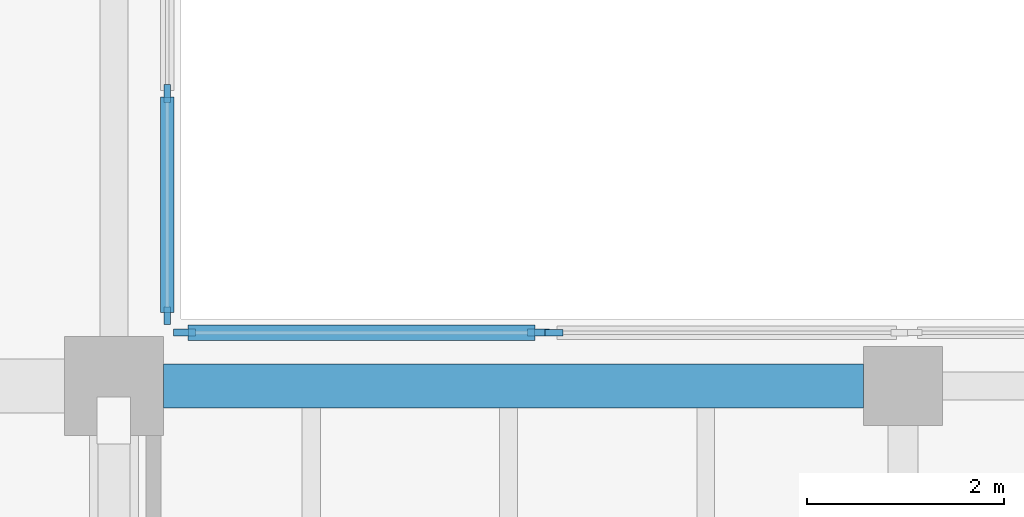
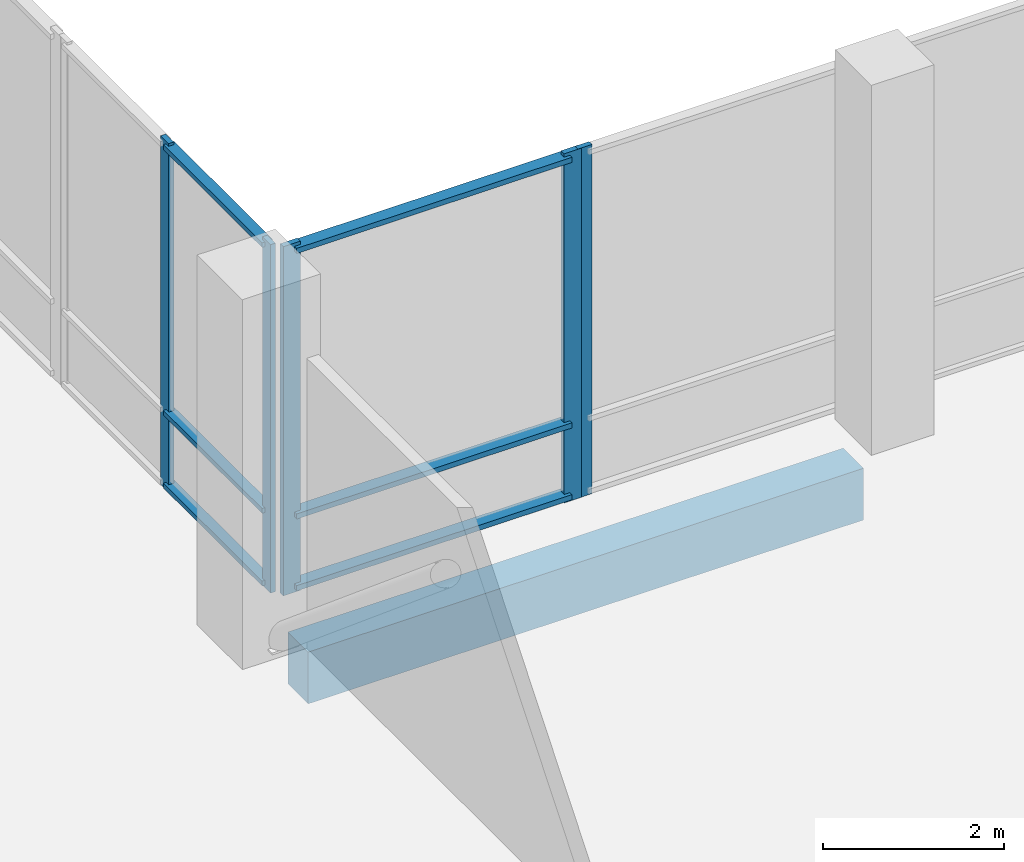
# One storey, part 27 of 73: 11 members, 1 beam, 3 elements without a shape of their own.
"""IFC4 building model written with IfcOpenShell, lengths in metres."""

from ifc_helpers import new_model, si_unit, direction, frame, origin, origin_2d, place, context, subcontext, project, spatial, rectangle, extrude, material, material_profile, profile_set, type_object, element, aggregate, save


model = new_model("IFC4")

# Units and contexts
model_context = context("Model", 3, precision=1e-05, world=origin(), true_north=direction((0.0, 1.0)))
body_context = subcontext(model_context, "Body", "Model", "MODEL_VIEW")
ifc_project = project(units=[si_unit("LENGTHUNIT", "METRE"), si_unit("AREAUNIT", "SQUARE_METRE"), si_unit("VOLUMEUNIT", "CUBIC_METRE"), si_unit("PLANEANGLEUNIT", "RADIAN"), si_unit("MASSUNIT", "GRAM", prefix="KILO")], contexts=[model_context])

# Site, building, storey
site_placement = place(None, origin())
site = spatial("IfcSite", under=ifc_project, at=site_placement, CompositionType="ELEMENT")
building_placement = place(site_placement, origin())
building = spatial("IfcBuilding", under=site, at=building_placement, Name="Trimount Lyric Opera House", CompositionType="ELEMENT")
storey_placement = place(building_placement, frame((0.0, 0.0, 10.0)))
storey = spatial("IfcBuildingStorey", under=building, at=storey_placement, Name="L02", CompositionType="ELEMENT", Elevation=10.0)

# Curtain wall, members
ifc_material_1 = material(Name="Thermally Broken Aluminium and Low-E Glass", Category="aluminium")
curtain_wall_type = type_object("IfcCurtainWallType", Name="CW-03", PredefinedType="NOTDEFINED", material=ifc_material_1)
curtain_wall_1_placement = place(storey_placement, origin())
curtain_wall_1 = element("IfcCurtainWall", 1, at=curtain_wall_1_placement, inside=storey, type_object=curtain_wall_type, Name="L02 curtain wall 222", PredefinedType="NOTDEFINED")
ifc_material_2 = material(Name="Anodised Aluminium 6063-T6", Category="aluminium")
ifc_material_profile_1 = material_profile(ifc_material_2, rectangle(XDim=0.070068359375, YDim=0.219970703125, at=origin_2d()), Name="ALU-MULL-70X220")
ifc_profile_set_1 = profile_set([ifc_material_profile_1], Name="Anodised Aluminium 6063-T6")
member_type_1 = type_object("IfcMemberType", Name="ML-01", PredefinedType="MULLION", material=ifc_profile_set_1)
member_1_placement = place(storey_placement, frame((122.715087890625, 74.5400390625, 0.0), z_axis=(0.0, 0.0, 1.0), x_axis=(0.0, 1.0, 0.0)))
member_1 = element("IfcMember", 2, at=member_1_placement, type_object=member_type_1, Name="CW-03 mullion 1", PredefinedType="MULLION", context=body_context, shape_type="SweptSolid", body=[
    extrude(rectangle(XDim=0.070068359375, YDim=0.219970703125, at=origin_2d()), origin(), (0.0, 0.0, 1.0), 4.719970703125),
])
member_2_placement = place(storey_placement, frame((126.304931640625, 74.5400390625, 0.0), z_axis=(0.0, 0.0, 1.0), x_axis=(0.0, 1.0, 0.0)))
member_2 = element("IfcMember", 3, at=member_2_placement, type_object=member_type_1, Name="CW-03 mullion 2", PredefinedType="MULLION", context=body_context, shape_type="SweptSolid", body=[
    extrude(rectangle(XDim=0.070068359375, YDim=0.219970703125, at=origin_2d()), origin(), (0.0, 0.0, 1.0), 4.719970703125),
])

# Curtain wall, member
curtain_wall_2_placement = place(storey_placement, origin())
curtain_wall_2 = element("IfcCurtainWall", 4, at=curtain_wall_2_placement, inside=storey, type_object=curtain_wall_type, Name="L02 curtain wall 223", PredefinedType="NOTDEFINED")
ifc_material_3 = material(Name="Anodised Aluminium 6063-T6", Category="aluminium")
ifc_material_profile_2 = material_profile(ifc_material_3, rectangle(XDim=0.06494140625, YDim=0.179931640625, at=origin_2d()), Name="ALU-MULL-65X180")
ifc_profile_set_2 = profile_set([ifc_material_profile_2], Name="Anodised Aluminium 6063-T6")
member_type_2 = type_object("IfcMemberType", Name="ML-02", PredefinedType="MULLION", material=ifc_profile_set_2)
member_3_placement = place(storey_placement, frame((126.46240234375, 74.5400390625, 0.0), z_axis=(0.0, 0.0, 1.0), x_axis=(0.0, 1.0, 0.0)))
member_3 = element("IfcMember", 5, at=member_3_placement, type_object=member_type_2, Name="CW-03 mullion 1", PredefinedType="MULLION", context=body_context, shape_type="SweptSolid", body=[
    extrude(rectangle(XDim=0.06494140625, YDim=0.179931640625, at=origin_2d()), origin(), (0.0, 0.0, 1.0), 4.719970703125),
])
aggregate(curtain_wall_2, [member_3])

# Curtain wall, members
curtain_wall_3_placement = place(storey_placement, origin())
curtain_wall_3 = element("IfcCurtainWall", 6, at=curtain_wall_3_placement, inside=storey, type_object=curtain_wall_type, Name="L02 curtain wall 244", PredefinedType="NOTDEFINED")
member_4_placement = place(storey_placement, frame((122.5400390625, 76.965087890625, 0.0), z_axis=(0.0, 0.0, 1.0), x_axis=(1.0, 0.0, 0.0)))
member_4 = element("IfcMember", 7, at=member_4_placement, type_object=member_type_2, Name="CW-03 mullion 2", PredefinedType="MULLION", context=body_context, shape_type="SweptSolid", body=[
    extrude(rectangle(XDim=0.06494140625, YDim=0.179931640625, at=origin_2d()), origin(), (0.0, 0.0, 1.0), 4.7099609375),
])
member_5_placement = place(storey_placement, frame((122.5400390625, 74.71240234375, 0.0), z_axis=(0.0, 0.0, 1.0), x_axis=(1.0, 0.0, 0.0)))
member_5 = element("IfcMember", 8, at=member_5_placement, type_object=member_type_2, Name="CW-03 mullion 3", PredefinedType="MULLION", context=body_context, shape_type="SweptSolid", body=[
    extrude(rectangle(XDim=0.06494140625, YDim=0.179931640625, at=origin_2d()), origin(), (0.0, 0.0, 1.0), 4.7099609375),
])

# Beam
ifc_material_4 = material(Name="Concrete C40/50", Category="concrete")
ifc_material_profile_3 = material_profile(ifc_material_4, rectangle(XDim=0.449951171875, YDim=0.699951171875, at=origin_2d()), Name="RC450X700")
ifc_profile_set_3 = profile_set([ifc_material_profile_3], Name="Concrete C40/50")
beam_type = type_object("IfcBeamType", Name="SP-02", PredefinedType="SPANDREL", material=ifc_profile_set_3)
beam_placement = place(storey_placement, frame((122.5, 74.0, -0.6298828125), z_axis=(1.0, 0.0, 0.0), x_axis=(0.0, 1.0, 0.0)))
element("IfcBeam", 9, at=beam_placement, inside=storey, type_object=beam_type, Name="L02 girder X-0769", PredefinedType="SPANDREL", context=body_context, shape_type="SweptSolid", body=[
    extrude(rectangle(XDim=0.449951171875, YDim=0.699951171875, at=origin_2d()), origin(), (0.0, 0.0, 1.0), 7.10009765625),
])

# Member
ifc_material_5 = material(Name="Anodised Aluminium 6063-T6", Category="aluminium")
ifc_material_profile_4 = material_profile(ifc_material_5, rectangle(XDim=0.159912109375, YDim=0.070068359375, at=origin_2d()), Name="ALU-TRAN-70X160")
ifc_profile_set_4 = profile_set([ifc_material_profile_4], Name="Anodised Aluminium 6063-T6")
member_type_3 = type_object("IfcMemberType", Name="TR-01", PredefinedType="USERDEFINED", material=ifc_profile_set_4)
member_6_placement = place(storey_placement, frame((122.75, 74.5400390625, 0.080078125), z_axis=(1.0, 0.0, 0.0), x_axis=(0.0, 1.0, 0.0)))
member_6 = element("IfcMember", 10, at=member_6_placement, type_object=member_type_3, Name="CW-03 transom 1.1", ObjectType="TRANSOM", PredefinedType="USERDEFINED", context=body_context, shape_type="SweptSolid", body=[
    extrude(rectangle(XDim=0.159912109375, YDim=0.070068359375, at=origin_2d()), origin(), (0.0, 0.0, 1.0), 3.52001953125),
])

member_7_placement = place(storey_placement, frame((122.75, 74.5400390625, 1.050048828125), z_axis=(1.0, 0.0, 0.0), x_axis=(0.0, 1.0, 0.0)))
member_7 = element("IfcMember", 11, at=member_7_placement, type_object=member_type_3, Name="CW-03 transom 1.2", ObjectType="TRANSOM", PredefinedType="USERDEFINED", context=body_context, shape_type="SweptSolid", body=[
    extrude(rectangle(XDim=0.159912109375, YDim=0.070068359375, at=origin_2d()), origin(), (0.0, 0.0, 1.0), 3.52001953125),
])

member_8_placement = place(storey_placement, frame((122.75, 74.5400390625, 4.639892578125), z_axis=(1.0, 0.0, 0.0), x_axis=(0.0, 1.0, 0.0)))
member_8 = element("IfcMember", 12, at=member_8_placement, type_object=member_type_3, Name="CW-03 transom 1.3", ObjectType="TRANSOM", PredefinedType="USERDEFINED", context=body_context, shape_type="SweptSolid", body=[
    extrude(rectangle(XDim=0.159912109375, YDim=0.070068359375, at=origin_2d()), origin(), (0.0, 0.0, 1.0), 3.52001953125),
])

aggregate(curtain_wall_1, [member_1, member_2, member_6, member_7, member_8])

ifc_material_6 = material(Name="Anodised Aluminium 6063-T6", Category="aluminium")
ifc_material_profile_5 = material_profile(ifc_material_6, rectangle(XDim=0.135009765625, YDim=0.06494140625, at=origin_2d()), Name="ALU-TRAN-65X135")
ifc_profile_set_5 = profile_set([ifc_material_profile_5], Name="Anodised Aluminium 6063-T6")
member_type_4 = type_object("IfcMemberType", Name="TR-02", PredefinedType="USERDEFINED", material=ifc_profile_set_5)
member_9_placement = place(storey_placement, frame((122.5400390625, 76.9326171875, 0.0673828125), z_axis=(0.0, -1.0, 0.0), x_axis=(1.0, 0.0, 0.0)))
member_9 = element("IfcMember", 13, at=member_9_placement, type_object=member_type_4, Name="CW-03 transom 2.1", ObjectType="TRANSOM", PredefinedType="USERDEFINED", context=body_context, shape_type="SweptSolid", body=[
    extrude(rectangle(XDim=0.135009765625, YDim=0.06494140625, at=origin_2d()), origin(), (0.0, 0.0, 1.0), 2.1875),
])

member_10_placement = place(storey_placement, frame((122.5400390625, 76.9326171875, 1.050048828125), z_axis=(0.0, -1.0, 0.0), x_axis=(1.0, 0.0, 0.0)))
member_10 = element("IfcMember", 14, at=member_10_placement, type_object=member_type_4, Name="CW-03 transom 2.2", ObjectType="TRANSOM", PredefinedType="USERDEFINED", context=body_context, shape_type="SweptSolid", body=[
    extrude(rectangle(XDim=0.135009765625, YDim=0.06494140625, at=origin_2d()), origin(), (0.0, 0.0, 1.0), 2.1875),
])

member_11_placement = place(storey_placement, frame((122.5400390625, 76.9326171875, 4.642578125), z_axis=(0.0, -1.0, 0.0), x_axis=(1.0, 0.0, 0.0)))
member_11 = element("IfcMember", 15, at=member_11_placement, type_object=member_type_4, Name="CW-03 transom 2.3", ObjectType="TRANSOM", PredefinedType="USERDEFINED", context=body_context, shape_type="SweptSolid", body=[
    extrude(rectangle(XDim=0.135009765625, YDim=0.06494140625, at=origin_2d()), origin(), (0.0, 0.0, 1.0), 2.1875),
])

aggregate(curtain_wall_3, [member_4, member_5, member_9, member_10, member_11])

save(model, "model.ifc")
